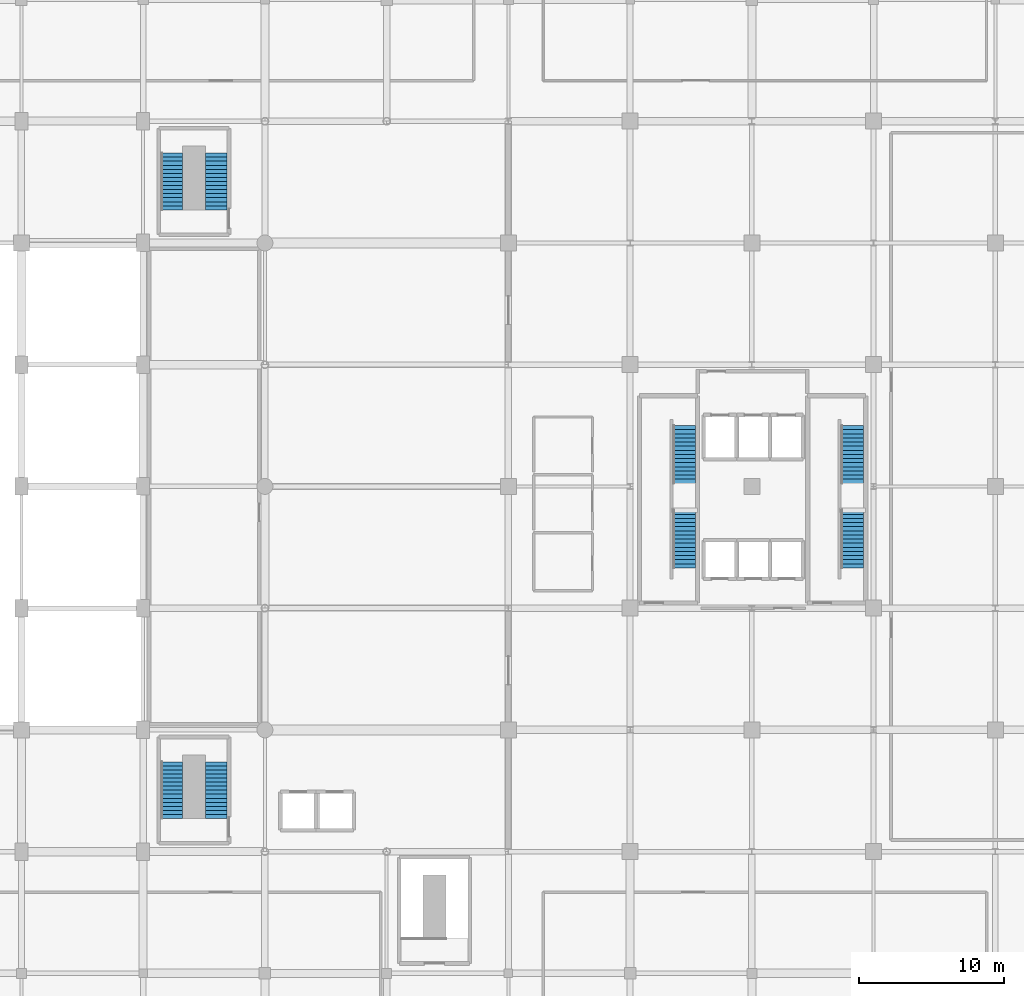
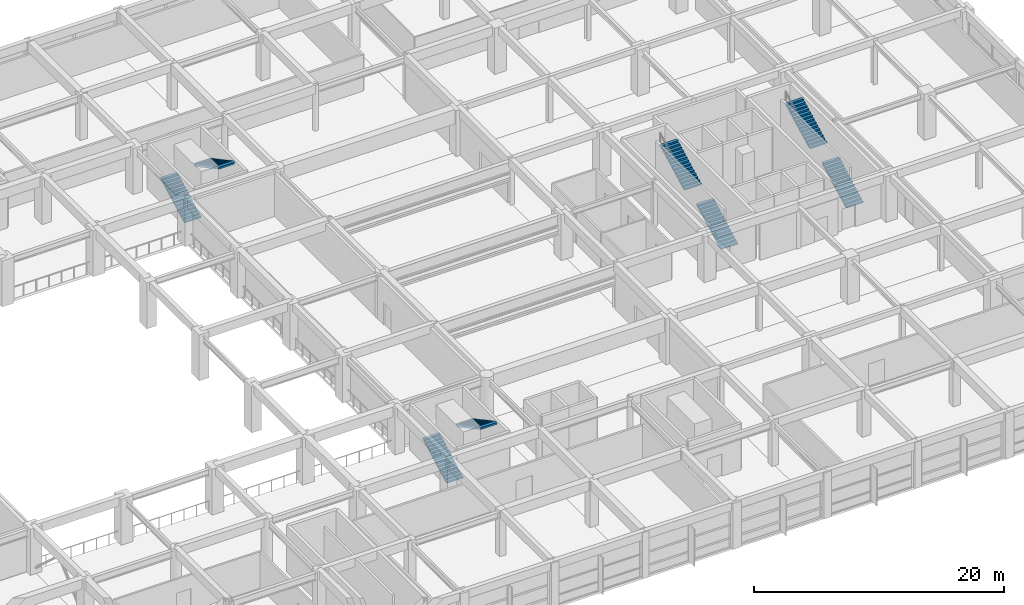
# One storey, part 48 of 56: 8 stair flights, 4 elements without a shape of their own.
"""IFC4 building model written with IfcOpenShell, lengths in metres."""

from ifc_helpers import new_model, si_unit, direction, frame, origin, place, context, subcontext, project, spatial, polyline, outline, extrude, material, layer, layer_set, type_object, element, aggregate, save


model = new_model("IFC4")

# Units and contexts
model_context = context("Model", 3, precision=1e-05, world=origin(), true_north=direction((0.0, 1.0)))
body_context = subcontext(model_context, "Body", "Model", "MODEL_VIEW")
ifc_project = project(units=[si_unit("LENGTHUNIT", "METRE"), si_unit("AREAUNIT", "SQUARE_METRE"), si_unit("VOLUMEUNIT", "CUBIC_METRE"), si_unit("PLANEANGLEUNIT", "RADIAN"), si_unit("MASSUNIT", "GRAM", prefix="KILO")], contexts=[model_context])

# Site, building, storey
site_placement = place(None, origin())
site = spatial("IfcSite", under=ifc_project, at=site_placement, CompositionType="ELEMENT")
building_placement = place(site_placement, origin())
building = spatial("IfcBuilding", under=site, at=building_placement, Name="Xuanlan Plaza Opera House", CompositionType="ELEMENT")
storey_placement = place(building_placement, frame((0.0, 0.0, 18.89990234375)))
storey = spatial("IfcBuildingStorey", under=building, at=storey_placement, Name="L04", CompositionType="ELEMENT", Elevation=18.89990234375)

# Stair, stair flights
ifc_material = material(Name="Concrete C40", Category="concrete")
stair_type_1 = type_object("IfcStairType", Name="INT-ST-STR-F130", PredefinedType="HALF_TURN_STAIR", material=ifc_material)
stair_1_placement = place(storey_placement, origin())
stair_1 = element("IfcStair", 1, at=stair_1_placement, inside=storey, type_object=stair_type_1, Name="Grand Foyer Feature Stair ST-F1 L04", PredefinedType="HALF_TURN_STAIR")
ifc_layer_1 = layer(ifc_material, 0.159912109375)
ifc_layer_set_1 = layer_set([ifc_layer_1], Name="Concrete C40")
stair_flight_type_1 = type_object("IfcStairFlightType", Name="INT-FL-FL-130", PredefinedType="STRAIGHT", material=ifc_layer_set_1)
stair_flight_1_placement = place(storey_placement, frame((102.75, 35.8798828125, 0.0), z_axis=(0.0, 0.0, 1.0), x_axis=(0.0, 1.0, 0.0)))
stair_flight_1 = element("IfcStairFlight", 2, at=stair_flight_1_placement, type_object=stair_flight_type_1, Name="ST-F1-L04 flight 1", NumberOfRisers=15, NumberOfTreads=14, PredefinedType="STRAIGHT", RiserHeight=0.15, TreadLength=0.28, context=body_context, shape_type="SweptSolid", body=[
    extrude(outline(polyline([(0.0, 0.0), (0.0, 0.14990234375), (0.280029296875, 0.14990234375), (0.280029296875, 0.300048828125), (0.56005859375, 0.300048828125), (0.56005859375, 0.449951171875), (0.840087890625, 0.449951171875), (0.840087890625, 0.60009765625), (1.1201171875, 0.60009765625), (1.1201171875, 0.75), (1.39990234375, 0.75), (1.39990234375, 0.89990234375), (1.679931640625, 0.89990234375), (1.679931640625, 1.050048828125), (1.9599609375, 1.050048828125), (1.9599609375, 1.199951171875), (2.239990234375, 1.199951171875), (2.239990234375, 1.35009765625), (2.52001953125, 1.35009765625), (2.52001953125, 1.5), (2.800048828125, 1.5), (2.800048828125, 1.64990234375), (3.080078125, 1.64990234375), (3.080078125, 1.800048828125), (3.360107421875, 1.800048828125), (3.360107421875, 1.949951171875), (3.639892578125, 1.949951171875), (3.639892578125, 2.10009765625), (3.919921875, 2.10009765625), (3.919921875, 2.25), (3.919921875, 1.918701171875), (0.338623046875, 0.0), (0.0, 0.0)])), frame((0.0, 0.75, 0.0), z_axis=(0.0, -1.0, 0.0), x_axis=(1.0, 0.0, 0.0)), (0.0, 0.0, 1.0), 1.5),
])
stair_flight_2_placement = place(storey_placement, frame((105.85009765625, 39.800048828125, 2.25), z_axis=(0.0, 0.0, 1.0), x_axis=(0.0, -1.0, 0.0)))
stair_flight_2 = element("IfcStairFlight", 3, at=stair_flight_2_placement, type_object=stair_flight_type_1, Name="ST-F1-L04 flight 2", NumberOfRisers=15, NumberOfTreads=14, PredefinedType="STRAIGHT", RiserHeight=0.15, TreadLength=0.28, context=body_context, shape_type="SweptSolid", body=[
    extrude(outline(polyline([(0.0, 0.0), (0.0, 0.14990234375), (0.280029296875, 0.14990234375), (0.280029296875, 0.300048828125), (0.56005859375, 0.300048828125), (0.56005859375, 0.449951171875), (0.840087890625, 0.449951171875), (0.840087890625, 0.60009765625), (1.1201171875, 0.60009765625), (1.1201171875, 0.75), (1.39990234375, 0.75), (1.39990234375, 0.89990234375), (1.679931640625, 0.89990234375), (1.679931640625, 1.050048828125), (1.9599609375, 1.050048828125), (1.9599609375, 1.199951171875), (2.239990234375, 1.199951171875), (2.239990234375, 1.35009765625), (2.52001953125, 1.35009765625), (2.52001953125, 1.5), (2.800048828125, 1.5), (2.800048828125, 1.64990234375), (3.080078125, 1.64990234375), (3.080078125, 1.800048828125), (3.360107421875, 1.800048828125), (3.360107421875, 1.949951171875), (3.639892578125, 1.949951171875), (3.639892578125, 2.10009765625), (3.919921875, 2.10009765625), (3.919921875, 2.25), (3.919921875, 1.918701171875), (0.338623046875, 0.0), (0.0, 0.0)])), frame((0.0, 0.75, 0.0), z_axis=(0.0, -1.0, 0.0), x_axis=(1.0, 0.0, 0.0)), (0.0, 0.0, 1.0), 1.5),
])
aggregate(stair_1, [stair_flight_1, stair_flight_2])

stair_2_placement = place(storey_placement, origin())
stair_2 = element("IfcStair", 4, at=stair_2_placement, inside=storey, type_object=stair_type_1, Name="Grand Foyer Feature Stair ST-F2 L04", PredefinedType="HALF_TURN_STAIR")
stair_flight_3_placement = place(storey_placement, frame((102.75, 77.8798828125, 0.0), z_axis=(0.0, 0.0, 1.0), x_axis=(0.0, 1.0, 0.0)))
stair_flight_3 = element("IfcStairFlight", 5, at=stair_flight_3_placement, type_object=stair_flight_type_1, Name="ST-F2-L04 flight 1", NumberOfRisers=15, NumberOfTreads=14, PredefinedType="STRAIGHT", RiserHeight=0.15, TreadLength=0.28, context=body_context, shape_type="SweptSolid", body=[
    extrude(outline(polyline([(0.0, 0.0), (0.0, 0.14990234375), (0.280029296875, 0.14990234375), (0.280029296875, 0.300048828125), (0.56005859375, 0.300048828125), (0.56005859375, 0.449951171875), (0.840087890625, 0.449951171875), (0.840087890625, 0.60009765625), (1.1201171875, 0.60009765625), (1.1201171875, 0.75), (1.39990234375, 0.75), (1.39990234375, 0.89990234375), (1.679931640625, 0.89990234375), (1.679931640625, 1.050048828125), (1.9599609375, 1.050048828125), (1.9599609375, 1.199951171875), (2.239990234375, 1.199951171875), (2.239990234375, 1.35009765625), (2.52001953125, 1.35009765625), (2.52001953125, 1.5), (2.800048828125, 1.5), (2.800048828125, 1.64990234375), (3.080078125, 1.64990234375), (3.080078125, 1.800048828125), (3.360107421875, 1.800048828125), (3.360107421875, 1.949951171875), (3.639892578125, 1.949951171875), (3.639892578125, 2.10009765625), (3.919921875, 2.10009765625), (3.919921875, 2.25), (3.919921875, 1.918701171875), (0.338623046875, 0.0), (0.0, 0.0)])), frame((0.0, 0.75, 0.0), z_axis=(0.0, -1.0, 0.0), x_axis=(1.0, 0.0, 0.0)), (0.0, 0.0, 1.0), 1.5),
])
stair_flight_4_placement = place(storey_placement, frame((105.85009765625, 81.800048828125, 2.25), z_axis=(0.0, 0.0, 1.0), x_axis=(0.0, -1.0, 0.0)))
stair_flight_4 = element("IfcStairFlight", 6, at=stair_flight_4_placement, type_object=stair_flight_type_1, Name="ST-F2-L04 flight 2", NumberOfRisers=15, NumberOfTreads=14, PredefinedType="STRAIGHT", RiserHeight=0.15, TreadLength=0.28, context=body_context, shape_type="SweptSolid", body=[
    extrude(outline(polyline([(0.0, 0.0), (0.0, 0.14990234375), (0.280029296875, 0.14990234375), (0.280029296875, 0.300048828125), (0.56005859375, 0.300048828125), (0.56005859375, 0.449951171875), (0.840087890625, 0.449951171875), (0.840087890625, 0.60009765625), (1.1201171875, 0.60009765625), (1.1201171875, 0.75), (1.39990234375, 0.75), (1.39990234375, 0.89990234375), (1.679931640625, 0.89990234375), (1.679931640625, 1.050048828125), (1.9599609375, 1.050048828125), (1.9599609375, 1.199951171875), (2.239990234375, 1.199951171875), (2.239990234375, 1.35009765625), (2.52001953125, 1.35009765625), (2.52001953125, 1.5), (2.800048828125, 1.5), (2.800048828125, 1.64990234375), (3.080078125, 1.64990234375), (3.080078125, 1.800048828125), (3.360107421875, 1.800048828125), (3.360107421875, 1.949951171875), (3.639892578125, 1.949951171875), (3.639892578125, 2.10009765625), (3.919921875, 2.10009765625), (3.919921875, 2.25), (3.919921875, 1.918701171875), (0.338623046875, 0.0), (0.0, 0.0)])), frame((0.0, 0.75, 0.0), z_axis=(0.0, -1.0, 0.0), x_axis=(1.0, 0.0, 0.0)), (0.0, 0.0, 1.0), 1.5),
])
aggregate(stair_2, [stair_flight_3, stair_flight_4])

stair_type_2 = type_object("IfcStairType", Name="INT-ST-STR-T155", PredefinedType="STRAIGHT_RUN_STAIR", material=ifc_material)
stair_3_placement = place(storey_placement, origin())
stair_3 = element("IfcStair", 7, at=stair_3_placement, inside=storey, type_object=stair_type_2, Name="Protected Exit Stair ST-T1 L04", PredefinedType="STRAIGHT_RUN_STAIR")
ifc_layer_2 = layer(ifc_material, 0.159912109375)
ifc_layer_set_2 = layer_set([ifc_layer_2], Name="Concrete C40")
stair_flight_type_2 = type_object("IfcStairFlightType", Name="INT-FL-FL-155", PredefinedType="STRAIGHT", material=ifc_layer_set_2)
stair_flight_5_placement = place(storey_placement, frame((138.125, 53.169921875, 0.0), z_axis=(0.0, 0.0, 1.0), x_axis=(0.0, 1.0, 0.0)))
stair_flight_5 = element("IfcStairFlight", 8, at=stair_flight_5_placement, type_object=stair_flight_type_2, Name="ST-T1-L04 flight 1", NumberOfRisers=15, NumberOfTreads=14, PredefinedType="STRAIGHT", RiserHeight=0.15, TreadLength=0.285, context=body_context, shape_type="SweptSolid", body=[
    extrude(outline(polyline([(0.0, 0.0), (0.0, 0.14990234375), (0.284912109375, 0.14990234375), (0.284912109375, 0.300048828125), (0.570068359375, 0.300048828125), (0.570068359375, 0.449951171875), (0.85498046875, 0.449951171875), (0.85498046875, 0.60009765625), (1.139892578125, 0.60009765625), (1.139892578125, 0.75), (1.425048828125, 0.75), (1.425048828125, 0.89990234375), (1.7099609375, 0.89990234375), (1.7099609375, 1.050048828125), (1.9951171875, 1.050048828125), (1.9951171875, 1.199951171875), (2.280029296875, 1.199951171875), (2.280029296875, 1.35009765625), (2.56494140625, 1.35009765625), (2.56494140625, 1.5), (2.85009765625, 1.5), (2.85009765625, 1.64990234375), (3.135009765625, 1.64990234375), (3.135009765625, 1.800048828125), (3.419921875, 1.800048828125), (3.419921875, 1.949951171875), (3.705078125, 1.949951171875), (3.705078125, 2.10009765625), (3.989990234375, 2.10009765625), (3.989990234375, 2.25), (3.989990234375, 1.919189453125), (0.34326171875, 0.0), (0.0, 0.0)])), frame((0.0, 0.77490234375, 0.0), z_axis=(0.0, -1.0, 0.0), x_axis=(1.0, 0.0, 0.0)), (0.0, 0.0, 1.0), 1.550048828125),
])
stair_flight_6_placement = place(storey_placement, frame((138.125, 59.010009765625, 2.25), z_axis=(0.0, 0.0, 1.0), x_axis=(0.0, 1.0, 0.0)))
stair_flight_6 = element("IfcStairFlight", 9, at=stair_flight_6_placement, type_object=stair_flight_type_2, Name="ST-T1-L04 flight 2", NumberOfRisers=15, NumberOfTreads=14, PredefinedType="STRAIGHT", RiserHeight=0.15, TreadLength=0.285, context=body_context, shape_type="SweptSolid", body=[
    extrude(outline(polyline([(0.0, 0.0), (0.0, 0.14990234375), (0.284912109375, 0.14990234375), (0.284912109375, 0.300048828125), (0.570068359375, 0.300048828125), (0.570068359375, 0.449951171875), (0.85498046875, 0.449951171875), (0.85498046875, 0.60009765625), (1.139892578125, 0.60009765625), (1.139892578125, 0.75), (1.425048828125, 0.75), (1.425048828125, 0.89990234375), (1.7099609375, 0.89990234375), (1.7099609375, 1.050048828125), (1.9951171875, 1.050048828125), (1.9951171875, 1.199951171875), (2.280029296875, 1.199951171875), (2.280029296875, 1.35009765625), (2.56494140625, 1.35009765625), (2.56494140625, 1.5), (2.85009765625, 1.5), (2.85009765625, 1.64990234375), (3.135009765625, 1.64990234375), (3.135009765625, 1.800048828125), (3.419921875, 1.800048828125), (3.419921875, 1.949951171875), (3.705078125, 1.949951171875), (3.705078125, 2.10009765625), (3.989990234375, 2.10009765625), (3.989990234375, 2.25), (3.989990234375, 1.919189453125), (0.34326171875, 0.0), (0.0, 0.0)])), frame((0.0, 0.77490234375, 0.0), z_axis=(0.0, -1.0, 0.0), x_axis=(1.0, 0.0, 0.0)), (0.0, 0.0, 1.0), 1.550048828125),
])
aggregate(stair_3, [stair_flight_5, stair_flight_6])

stair_4_placement = place(storey_placement, origin())
stair_4 = element("IfcStair", 10, at=stair_4_placement, inside=storey, type_object=stair_type_2, Name="Protected Exit Stair ST-T2 L04", PredefinedType="STRAIGHT_RUN_STAIR")
stair_flight_7_placement = place(storey_placement, frame((149.72509765625, 53.169921875, 0.0), z_axis=(0.0, 0.0, 1.0), x_axis=(0.0, 1.0, 0.0)))
stair_flight_7 = element("IfcStairFlight", 11, at=stair_flight_7_placement, type_object=stair_flight_type_2, Name="ST-T2-L04 flight 1", NumberOfRisers=15, NumberOfTreads=14, PredefinedType="STRAIGHT", RiserHeight=0.15, TreadLength=0.285, context=body_context, shape_type="SweptSolid", body=[
    extrude(outline(polyline([(0.0, 0.0), (0.0, 0.14990234375), (0.284912109375, 0.14990234375), (0.284912109375, 0.300048828125), (0.570068359375, 0.300048828125), (0.570068359375, 0.449951171875), (0.85498046875, 0.449951171875), (0.85498046875, 0.60009765625), (1.139892578125, 0.60009765625), (1.139892578125, 0.75), (1.425048828125, 0.75), (1.425048828125, 0.89990234375), (1.7099609375, 0.89990234375), (1.7099609375, 1.050048828125), (1.9951171875, 1.050048828125), (1.9951171875, 1.199951171875), (2.280029296875, 1.199951171875), (2.280029296875, 1.35009765625), (2.56494140625, 1.35009765625), (2.56494140625, 1.5), (2.85009765625, 1.5), (2.85009765625, 1.64990234375), (3.135009765625, 1.64990234375), (3.135009765625, 1.800048828125), (3.419921875, 1.800048828125), (3.419921875, 1.949951171875), (3.705078125, 1.949951171875), (3.705078125, 2.10009765625), (3.989990234375, 2.10009765625), (3.989990234375, 2.25), (3.989990234375, 1.919189453125), (0.34326171875, 0.0), (0.0, 0.0)])), frame((0.0, 0.77490234375, 0.0), z_axis=(0.0, -1.0, 0.0), x_axis=(1.0, 0.0, 0.0)), (0.0, 0.0, 1.0), 1.550048828125),
])
stair_flight_8_placement = place(storey_placement, frame((149.72509765625, 59.010009765625, 2.25), z_axis=(0.0, 0.0, 1.0), x_axis=(0.0, 1.0, 0.0)))
stair_flight_8 = element("IfcStairFlight", 12, at=stair_flight_8_placement, type_object=stair_flight_type_2, Name="ST-T2-L04 flight 2", NumberOfRisers=15, NumberOfTreads=14, PredefinedType="STRAIGHT", RiserHeight=0.15, TreadLength=0.285, context=body_context, shape_type="SweptSolid", body=[
    extrude(outline(polyline([(0.0, 0.0), (0.0, 0.14990234375), (0.284912109375, 0.14990234375), (0.284912109375, 0.300048828125), (0.570068359375, 0.300048828125), (0.570068359375, 0.449951171875), (0.85498046875, 0.449951171875), (0.85498046875, 0.60009765625), (1.139892578125, 0.60009765625), (1.139892578125, 0.75), (1.425048828125, 0.75), (1.425048828125, 0.89990234375), (1.7099609375, 0.89990234375), (1.7099609375, 1.050048828125), (1.9951171875, 1.050048828125), (1.9951171875, 1.199951171875), (2.280029296875, 1.199951171875), (2.280029296875, 1.35009765625), (2.56494140625, 1.35009765625), (2.56494140625, 1.5), (2.85009765625, 1.5), (2.85009765625, 1.64990234375), (3.135009765625, 1.64990234375), (3.135009765625, 1.800048828125), (3.419921875, 1.800048828125), (3.419921875, 1.949951171875), (3.705078125, 1.949951171875), (3.705078125, 2.10009765625), (3.989990234375, 2.10009765625), (3.989990234375, 2.25), (3.989990234375, 1.919189453125), (0.34326171875, 0.0), (0.0, 0.0)])), frame((0.0, 0.77490234375, 0.0), z_axis=(0.0, -1.0, 0.0), x_axis=(1.0, 0.0, 0.0)), (0.0, 0.0, 1.0), 1.550048828125),
])
aggregate(stair_4, [stair_flight_7, stair_flight_8])

save(model, "model.ifc")
